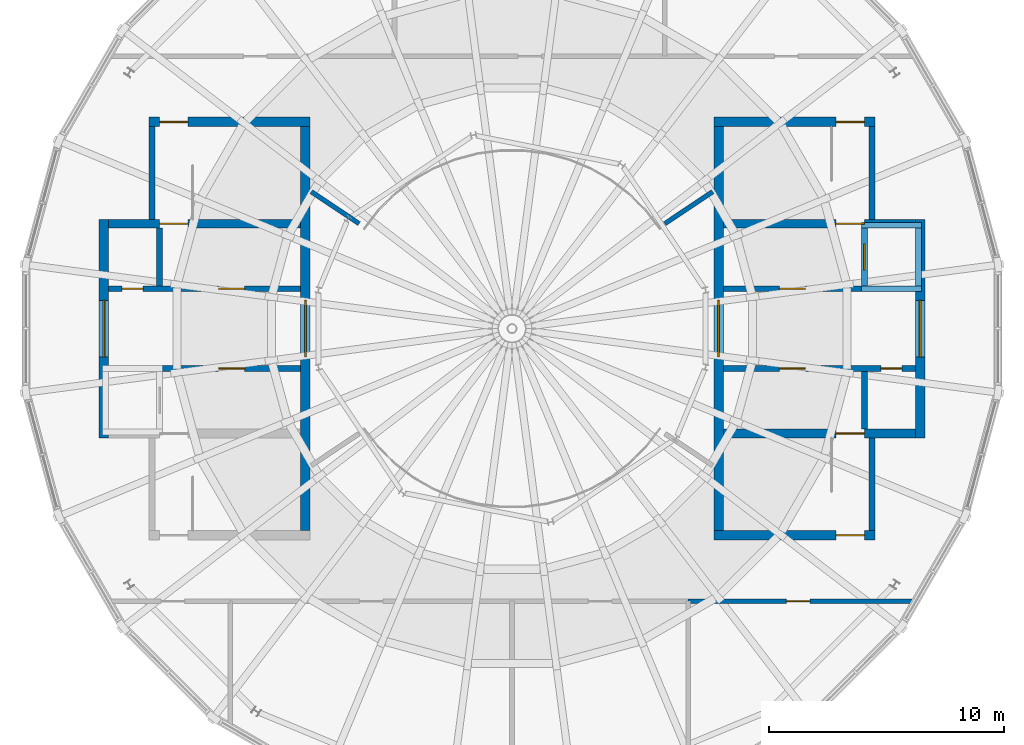
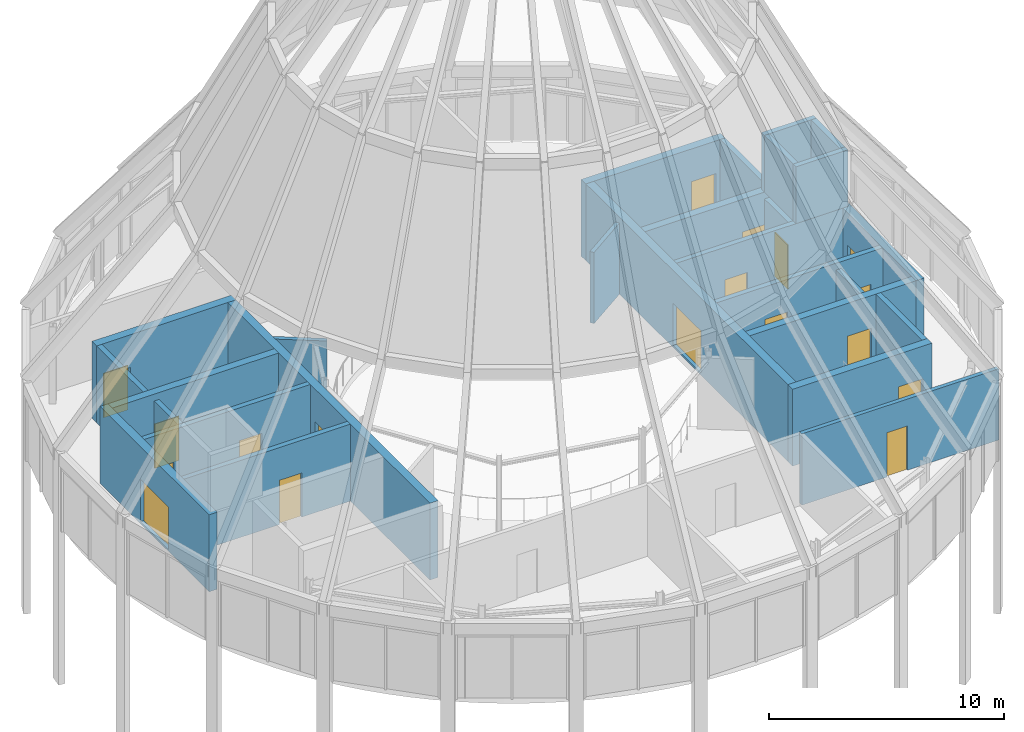
# One storey, part 14 of 16: 27 walls, 14 doors, 4 windows, 18 openings.
"""IFC4 building model written with IfcOpenShell, lengths in metres."""

from ifc_helpers import new_model, si_unit, direction, frame, frame_2d, origin, place, context, subcontext, project, spatial, rectangle, extrude, material, layer, layer_set, type_object, element, fill, save


model = new_model("IFC4")

# Units and contexts
model_context = context("Model", 3, precision=1e-05, world=origin(), true_north=direction((0.0, 1.0)))
body_context = subcontext(model_context, "Body", "Model", "MODEL_VIEW")
ifc_project = project(units=[si_unit("LENGTHUNIT", "METRE"), si_unit("AREAUNIT", "SQUARE_METRE"), si_unit("VOLUMEUNIT", "CUBIC_METRE"), si_unit("PLANEANGLEUNIT", "RADIAN"), si_unit("MASSUNIT", "GRAM", prefix="KILO")], contexts=[model_context])

# Site, building, storey
site_placement = place(None, origin())
site = spatial("IfcSite", under=ifc_project, at=site_placement, CompositionType="ELEMENT")
building_placement = place(site_placement, origin())
building = spatial("IfcBuilding", under=site, at=building_placement, Name="Maasbend Ring Residences", CompositionType="ELEMENT")
storey_placement = place(building_placement, frame((0.0, 0.0, 269.5)))
storey = spatial("IfcBuildingStorey", under=building, at=storey_placement, Name="L77", CompositionType="ELEMENT", Elevation=269.5)

# Wall, opening, door
ifc_material_1 = material(Name="Concrete C50/60", Category="concrete")
ifc_layer_1 = layer(ifc_material_1, 0.25)
ifc_layer_set_1 = layer_set([ifc_layer_1], Name="Concrete C50/60")
wall_type_1 = type_object("IfcWallType", Name="CORE WALL 250 C50/60", PredefinedType="SHEAR", material=ifc_layer_set_1)
wall_1_placement = place(storey_placement, frame((9.0, 1.699951171875, 0.0), z_axis=(0.0, 0.0, 1.0), x_axis=(1.0, 0.0, 0.0)))
wall_1 = element("IfcWall", 1, at=wall_1_placement, inside=storey, type_object=wall_type_1, Name="L77 core E wall SPN", PredefinedType="SHEAR", context=body_context, shape_type="SweptSolid", body=[
    extrude(rectangle(XDim=8.175048828125, YDim=0.25, at=frame_2d((4.08740234375, 0.0))), origin(), (0.0, 0.0, 1.0), 4.0),
])
opening_1_placement = place(wall_1_placement, frame((2.387451171875, 0.0, 0.0)))
opening_1 = element("IfcOpeningElement", 2, at=opening_1_placement, cuts=wall_1, Name="Opening D-E7702", PredefinedType="OPENING", context=body_context, shape_type="SweptSolid", body=[
    extrude(rectangle(XDim=1.10009765625, YDim=2.300048828125, at=frame_2d((0.550048828125, 1.14990234375))), frame((0.0, 0.135009765625, 0.0), z_axis=(0.0, -1.0, 0.0), x_axis=(1.0, 0.0, 0.0)), (0.0, 0.0, 1.0), 0.27001953125),
])
ifc_material_2 = material(Name="Steel, powder coated", Category="steel")
door_type_1 = type_object("IfcDoorType", Name="LOBBY DOOR 1100 X 2300 FD60", OperationType="NOTDEFINED", PredefinedType="DOOR", material=ifc_material_2)
door_1_placement = place(opening_1_placement, origin())
door_1 = element("IfcDoor", 3, at=door_1_placement, inside=storey, type_object=door_type_1, Name="Lobby door L77", OperationType="SINGLE_SWING_RIGHT", OverallHeight=2.300048828125, OverallWidth=1.10009765625, PredefinedType="DOOR", context=body_context, shape_type="SweptSolid", body=[
    extrude(rectangle(XDim=1.10009765625, YDim=2.300048828125, at=frame_2d((0.550048828125, 1.14990234375))), frame((0.0, 0.02490234375, 0.0), z_axis=(0.0, -1.0, 0.0), x_axis=(1.0, 0.0, 0.0)), (0.0, 0.0, 1.0), 0.050048828125),
])
fill(opening_1, door_1)

# Wall
wall_2_placement = place(storey_placement, frame((15.324951171875, 4.64990234375, 0.0), z_axis=(0.0, 0.0, 1.0), x_axis=(0.0, 1.0, 0.0)))
element("IfcWall", 4, at=wall_2_placement, inside=storey, type_object=wall_type_1, Name="L77 core E wall STEN", PredefinedType="SHEAR", context=body_context, shape_type="SweptSolid", body=[
    extrude(rectangle(XDim=3.9501953125, YDim=0.25, at=frame_2d((1.97509765625, 0.0))), origin(), (0.0, 0.0, 1.0), 4.0),
])

# Wall, openings, doors
wall_3_placement = place(storey_placement, frame((17.175048828125, -1.699951171875, 0.0), z_axis=(0.0, 0.0, 1.0), x_axis=(-1.0, 0.0, 0.0)))
wall_3 = element("IfcWall", 5, at=wall_3_placement, inside=storey, type_object=wall_type_1, Name="L77 core E wall SPS", PredefinedType="SHEAR", context=body_context, shape_type="SweptSolid", body=[
    extrude(rectangle(XDim=8.175048828125, YDim=0.25, at=frame_2d((4.08740234375, 0.0))), origin(), (0.0, 0.0, 1.0), 4.0),
])
opening_2_placement = place(wall_3_placement, frame((4.6875, 0.0, 0.0)))
opening_2 = element("IfcOpeningElement", 6, at=opening_2_placement, cuts=wall_3, Name="Opening D-E7703", PredefinedType="OPENING", context=body_context, shape_type="SweptSolid", body=[
    extrude(rectangle(XDim=1.10009765625, YDim=2.300048828125, at=frame_2d((0.550048828125, 1.14990234375))), frame((0.0, 0.135009765625, 0.0), z_axis=(0.0, -1.0, 0.0), x_axis=(1.0, 0.0, 0.0)), (0.0, 0.0, 1.0), 0.27001953125),
])
opening_3_placement = place(wall_3_placement, frame((0.574951171875, 0.0, 0.0)))
opening_3 = element("IfcOpeningElement", 7, at=opening_3_placement, cuts=wall_3, Name="Opening D-E7704", PredefinedType="OPENING", context=body_context, shape_type="SweptSolid", body=[
    extrude(rectangle(XDim=0.89990234375, YDim=2.300048828125, at=frame_2d((0.449951171875, 1.14990234375))), frame((0.0, 0.135009765625, 0.0), z_axis=(0.0, -1.0, 0.0), x_axis=(1.0, 0.0, 0.0)), (0.0, 0.0, 1.0), 0.27001953125),
])
ifc_material_3 = material(Name="Steel, powder coated", Category="steel")
door_type_2 = type_object("IfcDoorType", Name="ROOM DOOR 1100 X 2300 FD30S", OperationType="NOTDEFINED", PredefinedType="DOOR", material=ifc_material_3)
door_2_placement = place(opening_2_placement, origin())
door_2 = element("IfcDoor", 8, at=door_2_placement, inside=storey, type_object=door_type_2, Name="Room door L77", OperationType="SINGLE_SWING_LEFT", OverallHeight=2.300048828125, OverallWidth=1.10009765625, PredefinedType="DOOR", context=body_context, shape_type="SweptSolid", body=[
    extrude(rectangle(XDim=1.10009765625, YDim=2.300048828125, at=frame_2d((0.550048828125, 1.14990234375))), frame((0.0, 0.02490234375, 0.0), z_axis=(0.0, -1.0, 0.0), x_axis=(1.0, 0.0, 0.0)), (0.0, 0.0, 1.0), 0.050048828125),
])
fill(opening_2, door_2)
ifc_material_4 = material(Name="Steel, powder coated", Category="steel")
door_type_3 = type_object("IfcDoorType", Name="ROOM DOOR 900 X 2300 FD30S", OperationType="NOTDEFINED", PredefinedType="DOOR", material=ifc_material_4)
door_3_placement = place(opening_3_placement, origin())
door_3 = element("IfcDoor", 9, at=door_3_placement, inside=storey, type_object=door_type_3, Name="Room door L77", OperationType="SINGLE_SWING_RIGHT", OverallHeight=2.300048828125, OverallWidth=0.89990234375, PredefinedType="DOOR", context=body_context, shape_type="SweptSolid", body=[
    extrude(rectangle(XDim=0.89990234375, YDim=2.300048828125, at=frame_2d((0.449951171875, 1.14990234375))), frame((0.0, 0.02490234375, 0.0), z_axis=(0.0, -1.0, 0.0), x_axis=(1.0, 0.0, 0.0)), (0.0, 0.0, 1.0), 0.050048828125),
])
fill(opening_3, door_3)

# Wall
wall_4_placement = place(storey_placement, frame((15.324951171875, -4.64990234375, 0.0), z_axis=(0.0, 0.0, 1.0), x_axis=(0.0, -1.0, 0.0)))
element("IfcWall", 10, at=wall_4_placement, inside=storey, type_object=wall_type_1, Name="L77 core E wall STES", PredefinedType="SHEAR", context=body_context, shape_type="SweptSolid", body=[
    extrude(rectangle(XDim=3.9501953125, YDim=0.25, at=frame_2d((1.97509765625, 0.0))), origin(), (0.0, 0.0, 1.0), 4.0),
])

# Wall, opening, door
wall_5_placement = place(storey_placement, frame((-9.0, -1.699951171875, 0.0), z_axis=(0.0, 0.0, 1.0), x_axis=(-1.0, 0.0, 0.0)))
wall_5 = element("IfcWall", 11, at=wall_5_placement, inside=storey, type_object=wall_type_1, Name="L77 core W wall SPN", PredefinedType="SHEAR", context=body_context, shape_type="SweptSolid", body=[
    extrude(rectangle(XDim=8.175048828125, YDim=0.25, at=frame_2d((4.08740234375, 0.0))), origin(), (0.0, 0.0, 1.0), 4.0),
])
opening_4_placement = place(wall_5_placement, frame((2.387451171875, 0.0, 0.0)))
opening_4 = element("IfcOpeningElement", 12, at=opening_4_placement, cuts=wall_5, Name="Opening D-W7702", PredefinedType="OPENING", context=body_context, shape_type="SweptSolid", body=[
    extrude(rectangle(XDim=1.10009765625, YDim=2.300048828125, at=frame_2d((0.550048828125, 1.14990234375))), frame((0.0, 0.135009765625, 0.0), z_axis=(0.0, -1.0, 0.0), x_axis=(1.0, 0.0, 0.0)), (0.0, 0.0, 1.0), 0.27001953125),
])
door_4_placement = place(opening_4_placement, origin())
door_4 = element("IfcDoor", 13, at=door_4_placement, inside=storey, type_object=door_type_1, Name="Lobby door L77", OperationType="SINGLE_SWING_RIGHT", OverallHeight=2.300048828125, OverallWidth=1.10009765625, PredefinedType="DOOR", context=body_context, shape_type="SweptSolid", body=[
    extrude(rectangle(XDim=1.10009765625, YDim=2.300048828125, at=frame_2d((0.550048828125, 1.14990234375))), frame((0.0, 0.02490234375, 0.0), z_axis=(0.0, -1.0, 0.0), x_axis=(1.0, 0.0, 0.0)), (0.0, 0.0, 1.0), 0.050048828125),
])
fill(opening_4, door_4)

# Wall, openings, doors
wall_6_placement = place(storey_placement, frame((-17.175048828125, 1.699951171875, 0.0), z_axis=(0.0, 0.0, 1.0), x_axis=(1.0, 0.0, 0.0)))
wall_6 = element("IfcWall", 14, at=wall_6_placement, inside=storey, type_object=wall_type_1, Name="L77 core W wall SPS", PredefinedType="SHEAR", context=body_context, shape_type="SweptSolid", body=[
    extrude(rectangle(XDim=8.175048828125, YDim=0.25, at=frame_2d((4.08740234375, 0.0))), origin(), (0.0, 0.0, 1.0), 4.0),
])
opening_5_placement = place(wall_6_placement, frame((4.6875, 0.0, 0.0)))
opening_5 = element("IfcOpeningElement", 15, at=opening_5_placement, cuts=wall_6, Name="Opening D-W7703", PredefinedType="OPENING", context=body_context, shape_type="SweptSolid", body=[
    extrude(rectangle(XDim=1.10009765625, YDim=2.300048828125, at=frame_2d((0.550048828125, 1.14990234375))), frame((0.0, 0.135009765625, 0.0), z_axis=(0.0, -1.0, 0.0), x_axis=(1.0, 0.0, 0.0)), (0.0, 0.0, 1.0), 0.27001953125),
])
opening_6_placement = place(wall_6_placement, frame((0.574951171875, 0.0, 0.0)))
opening_6 = element("IfcOpeningElement", 16, at=opening_6_placement, cuts=wall_6, Name="Opening D-W7704", PredefinedType="OPENING", context=body_context, shape_type="SweptSolid", body=[
    extrude(rectangle(XDim=0.89990234375, YDim=2.300048828125, at=frame_2d((0.449951171875, 1.14990234375))), frame((0.0, 0.135009765625, 0.0), z_axis=(0.0, -1.0, 0.0), x_axis=(1.0, 0.0, 0.0)), (0.0, 0.0, 1.0), 0.27001953125),
])
door_5_placement = place(opening_5_placement, origin())
door_5 = element("IfcDoor", 17, at=door_5_placement, inside=storey, type_object=door_type_2, Name="Room door L77", OperationType="SINGLE_SWING_LEFT", OverallHeight=2.300048828125, OverallWidth=1.10009765625, PredefinedType="DOOR", context=body_context, shape_type="SweptSolid", body=[
    extrude(rectangle(XDim=1.10009765625, YDim=2.300048828125, at=frame_2d((0.550048828125, 1.14990234375))), frame((0.0, 0.02490234375, 0.0), z_axis=(0.0, -1.0, 0.0), x_axis=(1.0, 0.0, 0.0)), (0.0, 0.0, 1.0), 0.050048828125),
])
fill(opening_5, door_5)
door_6_placement = place(opening_6_placement, origin())
door_6 = element("IfcDoor", 18, at=door_6_placement, inside=storey, type_object=door_type_3, Name="Room door L77", OperationType="SINGLE_SWING_RIGHT", OverallHeight=2.300048828125, OverallWidth=0.89990234375, PredefinedType="DOOR", context=body_context, shape_type="SweptSolid", body=[
    extrude(rectangle(XDim=0.89990234375, YDim=2.300048828125, at=frame_2d((0.449951171875, 1.14990234375))), frame((0.0, 0.02490234375, 0.0), z_axis=(0.0, -1.0, 0.0), x_axis=(1.0, 0.0, 0.0)), (0.0, 0.0, 1.0), 0.050048828125),
])
fill(opening_6, door_6)

# Walls
wall_7_placement = place(storey_placement, frame((-15.324951171875, 4.64990234375, 0.0), z_axis=(0.0, 0.0, 1.0), x_axis=(0.0, 1.0, 0.0)))
element("IfcWall", 19, at=wall_7_placement, inside=storey, type_object=wall_type_1, Name="L77 core W wall STES", PredefinedType="SHEAR", context=body_context, shape_type="SweptSolid", body=[
    extrude(rectangle(XDim=3.9501953125, YDim=0.25, at=frame_2d((1.97509765625, 0.0))), origin(), (0.0, 0.0, 1.0), 4.0),
])
for number, where, z_axis, x_axis, name in (
    (20, (15.0, 1.824951171875, 4.0), (0.0, 0.0, 1.0), (0.0, 1.0, 0.0), "Lift head house wall FF-E"),
    (21, (17.300048828125, 1.824951171875, 4.0), (0.0, 0.0, 1.0), (0.0, 1.0, 0.0), "Lift head house wall FF-E"),
):
    element("IfcWall", number, at=place(storey_placement, frame(where, z_axis=z_axis, x_axis=x_axis)), inside=storey, type_object=wall_type_1, Name=name, PredefinedType="SHEAR", context=body_context, shape_type="SweptSolid", body=[
        extrude(rectangle(XDim=2.449951171875, YDim=0.25, at=frame_2d((1.22509765625, 0.0))), origin(), (0.0, 0.0, 1.0), 2.949951171875),
    ])
for number, where, z_axis, x_axis, name in (
    (22, (14.875, 1.699951171875, 4.0), (0.0, 0.0, 1.0), (1.0, 0.0, 0.0), "Lift head house wall FF-E"),
    (23, (14.875, 4.39990234375, 4.0), (0.0, 0.0, 1.0), (1.0, 0.0, 0.0), "Lift head house wall FF-E"),
):
    element("IfcWall", number, at=place(storey_placement, frame(where, z_axis=z_axis, x_axis=x_axis)), inside=storey, type_object=wall_type_1, Name=name, PredefinedType="SHEAR", context=body_context, shape_type="SweptSolid", body=[
        extrude(rectangle(XDim=2.550048828125, YDim=0.25, at=frame_2d((1.27490234375, 0.0))), origin(), (0.0, 0.0, 1.0), 2.949951171875),
    ])

# Wall, opening, door
ifc_material_5 = material(Name="Concrete C50/60", Category="concrete")
ifc_layer_2 = layer(ifc_material_5, 0.375)
ifc_layer_set_2 = layer_set([ifc_layer_2], Name="Concrete C50/60")
wall_type_2 = type_object("IfcWallType", Name="CORE WALL 375 C50/60", PredefinedType="SHEAR", material=ifc_layer_set_2)
wall_8_placement = place(storey_placement, frame((9.0, 4.46240234375, 0.0), z_axis=(0.0, 0.0, 1.0), x_axis=(1.0, 0.0, 0.0)))
wall_8 = element("IfcWall", 24, at=wall_8_placement, inside=storey, type_object=wall_type_2, Name="L77 core E wall BN", PredefinedType="SHEAR", context=body_context, shape_type="SweptSolid", body=[
    extrude(rectangle(XDim=8.175048828125, YDim=0.375, at=frame_2d((4.08740234375, 0.0))), origin(), (0.0, 0.0, 1.0), 4.0),
])
opening_7_placement = place(wall_8_placement, frame((4.800048828125, 0.0, 0.0)))
opening_7 = element("IfcOpeningElement", 25, at=opening_7_placement, cuts=wall_8, Name="Opening D-E7705", PredefinedType="OPENING", context=body_context, shape_type="SweptSolid", body=[
    extrude(rectangle(XDim=1.199951171875, YDim=2.300048828125, at=frame_2d((0.60009765625, 1.14990234375))), frame((0.0, 0.197509765625, 0.0), z_axis=(0.0, -1.0, 0.0), x_axis=(1.0, 0.0, 0.0)), (0.0, 0.0, 1.0), 0.39501953125),
])
ifc_material_6 = material(Name="Steel, powder coated", Category="steel")
door_type_4 = type_object("IfcDoorType", Name="STAIR DOOR 1200 X 2300 FD60", OperationType="NOTDEFINED", PredefinedType="DOOR", material=ifc_material_6)
door_7_placement = place(opening_7_placement, origin())
door_7 = element("IfcDoor", 26, at=door_7_placement, inside=storey, type_object=door_type_4, Name="Stair door ST-E L77", OperationType="SINGLE_SWING_LEFT", OverallHeight=2.300048828125, OverallWidth=1.199951171875, PredefinedType="DOOR", context=body_context, shape_type="SweptSolid", body=[
    extrude(rectangle(XDim=1.199951171875, YDim=2.300048828125, at=frame_2d((0.60009765625, 1.14990234375))), frame((0.0, 0.02490234375, 0.0), z_axis=(0.0, -1.0, 0.0), x_axis=(1.0, 0.0, 0.0)), (0.0, 0.0, 1.0), 0.050048828125),
])
fill(opening_7, door_7)

wall_9_placement = place(storey_placement, frame((17.175048828125, -4.46240234375, 0.0), z_axis=(0.0, 0.0, 1.0), x_axis=(-1.0, 0.0, 0.0)))
wall_9 = element("IfcWall", 27, at=wall_9_placement, inside=storey, type_object=wall_type_2, Name="L77 core E wall BS", PredefinedType="SHEAR", context=body_context, shape_type="SweptSolid", body=[
    extrude(rectangle(XDim=8.175048828125, YDim=0.375, at=frame_2d((4.08740234375, 0.0))), origin(), (0.0, 0.0, 1.0), 4.0),
])
opening_8_placement = place(wall_9_placement, frame((2.175048828125, 0.0, 0.0)))
opening_8 = element("IfcOpeningElement", 28, at=opening_8_placement, cuts=wall_9, Name="Opening D-E7706", PredefinedType="OPENING", context=body_context, shape_type="SweptSolid", body=[
    extrude(rectangle(XDim=1.199951171875, YDim=2.300048828125, at=frame_2d((0.60009765625, 1.14990234375))), frame((0.0, 0.197509765625, 0.0), z_axis=(0.0, -1.0, 0.0), x_axis=(1.0, 0.0, 0.0)), (0.0, 0.0, 1.0), 0.39501953125),
])
door_8_placement = place(opening_8_placement, origin())
door_8 = element("IfcDoor", 29, at=door_8_placement, inside=storey, type_object=door_type_4, Name="Stair door ST-E L77", OperationType="SINGLE_SWING_RIGHT", OverallHeight=2.300048828125, OverallWidth=1.199951171875, PredefinedType="DOOR", context=body_context, shape_type="SweptSolid", body=[
    extrude(rectangle(XDim=1.199951171875, YDim=2.300048828125, at=frame_2d((0.60009765625, 1.14990234375))), frame((0.0, 0.02490234375, 0.0), z_axis=(0.0, -1.0, 0.0), x_axis=(1.0, 0.0, 0.0)), (0.0, 0.0, 1.0), 0.050048828125),
])
fill(opening_8, door_8)

wall_10_placement = place(storey_placement, frame((-17.175048828125, 4.46240234375, 0.0), z_axis=(0.0, 0.0, 1.0), x_axis=(1.0, 0.0, 0.0)))
wall_10 = element("IfcWall", 30, at=wall_10_placement, inside=storey, type_object=wall_type_2, Name="L77 core W wall BS", PredefinedType="SHEAR", context=body_context, shape_type="SweptSolid", body=[
    extrude(rectangle(XDim=8.175048828125, YDim=0.375, at=frame_2d((4.08740234375, 0.0))), origin(), (0.0, 0.0, 1.0), 4.0),
])
opening_9_placement = place(wall_10_placement, frame((2.175048828125, 0.0, 0.0)))
opening_9 = element("IfcOpeningElement", 31, at=opening_9_placement, cuts=wall_10, Name="Opening D-W7706", PredefinedType="OPENING", context=body_context, shape_type="SweptSolid", body=[
    extrude(rectangle(XDim=1.199951171875, YDim=2.300048828125, at=frame_2d((0.60009765625, 1.14990234375))), frame((0.0, 0.197509765625, 0.0), z_axis=(0.0, -1.0, 0.0), x_axis=(1.0, 0.0, 0.0)), (0.0, 0.0, 1.0), 0.39501953125),
])
door_9_placement = place(opening_9_placement, origin())
door_9 = element("IfcDoor", 32, at=door_9_placement, inside=storey, type_object=door_type_4, Name="Stair door ST-W L77", OperationType="SINGLE_SWING_RIGHT", OverallHeight=2.300048828125, OverallWidth=1.199951171875, PredefinedType="DOOR", context=body_context, shape_type="SweptSolid", body=[
    extrude(rectangle(XDim=1.199951171875, YDim=2.300048828125, at=frame_2d((0.60009765625, 1.14990234375))), frame((0.0, 0.02490234375, 0.0), z_axis=(0.0, -1.0, 0.0), x_axis=(1.0, 0.0, 0.0)), (0.0, 0.0, 1.0), 0.050048828125),
])
fill(opening_9, door_9)

ifc_material_7 = material(Name="Concrete C50/60", Category="concrete")
ifc_layer_3 = layer(ifc_material_7, 0.39990234375)
ifc_layer_set_3 = layer_set([ifc_layer_3], Name="Concrete C50/60")
wall_type_3 = type_object("IfcWallType", Name="CORE WALL 400 C50/60", PredefinedType="SHEAR", material=ifc_layer_set_3)
wall_11_placement = place(storey_placement, frame((15.449951171875, 8.800048828125, 0.0), z_axis=(0.0, 0.0, 1.0), x_axis=(-1.0, 0.0, 0.0)))
wall_11 = element("IfcWall", 33, at=wall_11_placement, inside=storey, type_object=wall_type_3, Name="L77 core E wall PN", PredefinedType="SHEAR", context=body_context, shape_type="SweptSolid", body=[
    extrude(rectangle(XDim=6.849853515625, YDim=0.39990234375, at=frame_2d((3.4248046875, 0.0))), origin(), (0.0, 0.0, 1.0), 4.0),
])
opening_10_placement = place(wall_11_placement, frame((0.449951171875, 0.0, 0.0)))
opening_10 = element("IfcOpeningElement", 34, at=opening_10_placement, cuts=wall_11, Name="Opening D-E7707", PredefinedType="OPENING", context=body_context, shape_type="SweptSolid", body=[
    extrude(rectangle(XDim=1.199951171875, YDim=2.300048828125, at=frame_2d((0.60009765625, 1.14990234375))), frame((0.0, 0.2099609375, 0.0), z_axis=(0.0, -1.0, 0.0), x_axis=(1.0, 0.0, 0.0)), (0.0, 0.0, 1.0), 0.419921875),
])
door_10_placement = place(opening_10_placement, origin())
door_10 = element("IfcDoor", 35, at=door_10_placement, inside=storey, type_object=door_type_4, Name="Stair door ST-E L77", OperationType="SINGLE_SWING_RIGHT", OverallHeight=2.300048828125, OverallWidth=1.199951171875, PredefinedType="DOOR", context=body_context, shape_type="SweptSolid", body=[
    extrude(rectangle(XDim=1.199951171875, YDim=2.300048828125, at=frame_2d((0.60009765625, 1.14990234375))), frame((0.0, 0.02490234375, 0.0), z_axis=(0.0, -1.0, 0.0), x_axis=(1.0, 0.0, 0.0)), (0.0, 0.0, 1.0), 0.050048828125),
])
fill(opening_10, door_10)

wall_12_placement = place(storey_placement, frame((8.60009765625, -8.800048828125, 0.0), z_axis=(0.0, 0.0, 1.0), x_axis=(1.0, 0.0, 0.0)))
wall_12 = element("IfcWall", 36, at=wall_12_placement, inside=storey, type_object=wall_type_3, Name="L77 core E wall PS", PredefinedType="SHEAR", context=body_context, shape_type="SweptSolid", body=[
    extrude(rectangle(XDim=6.849853515625, YDim=0.39990234375, at=frame_2d((3.4248046875, 0.0))), origin(), (0.0, 0.0, 1.0), 4.0),
])
opening_11_placement = place(wall_12_placement, frame((5.199951171875, 0.0, 0.0)))
opening_11 = element("IfcOpeningElement", 37, at=opening_11_placement, cuts=wall_12, Name="Opening D-E7708", PredefinedType="OPENING", context=body_context, shape_type="SweptSolid", body=[
    extrude(rectangle(XDim=1.199951171875, YDim=2.300048828125, at=frame_2d((0.60009765625, 1.14990234375))), frame((0.0, 0.2099609375, 0.0), z_axis=(0.0, -1.0, 0.0), x_axis=(1.0, 0.0, 0.0)), (0.0, 0.0, 1.0), 0.419921875),
])
door_11_placement = place(opening_11_placement, origin())
door_11 = element("IfcDoor", 38, at=door_11_placement, inside=storey, type_object=door_type_4, Name="Stair door ST-E L77", OperationType="SINGLE_SWING_LEFT", OverallHeight=2.300048828125, OverallWidth=1.199951171875, PredefinedType="DOOR", context=body_context, shape_type="SweptSolid", body=[
    extrude(rectangle(XDim=1.199951171875, YDim=2.300048828125, at=frame_2d((0.60009765625, 1.14990234375))), frame((0.0, 0.02490234375, 0.0), z_axis=(0.0, -1.0, 0.0), x_axis=(1.0, 0.0, 0.0)), (0.0, 0.0, 1.0), 0.050048828125),
])
fill(opening_11, door_11)

# Wall, opening, window
wall_13_placement = place(storey_placement, frame((17.375, -4.64990234375, 0.0), z_axis=(0.0, 0.0, 1.0), x_axis=(0.0, 1.0, 0.0)))
wall_13 = element("IfcWall", 39, at=wall_13_placement, inside=storey, type_object=wall_type_3, Name="L77 core E wall POUT", PredefinedType="SHEAR", context=body_context, shape_type="SweptSolid", body=[
    extrude(rectangle(XDim=9.2998046875, YDim=0.39990234375, at=frame_2d((4.64990234375, 0.0))), origin(), (0.0, 0.0, 1.0), 4.0),
])
opening_12_placement = place(wall_13_placement, frame((3.449951171875, 0.0, 0.10009765625)))
opening_12 = element("IfcOpeningElement", 40, at=opening_12_placement, cuts=wall_13, Name="Opening W-E7702", PredefinedType="OPENING", context=body_context, shape_type="SweptSolid", body=[
    extrude(rectangle(XDim=2.39990234375, YDim=2.199951171875, at=frame_2d((1.199951171875, 1.10009765625))), frame((0.0, 0.2099609375, 0.0), z_axis=(0.0, -1.0, 0.0), x_axis=(1.0, 0.0, 0.0)), (0.0, 0.0, 1.0), 0.419921875),
])
ifc_material_8 = material(Name="Aluminium frame and clear glass", Category="aluminium")
window_type = type_object("IfcWindowType", Name="FIXED WINDOW 2400 X 2200", PartitioningType="SINGLE_PANEL", PredefinedType="WINDOW", material=ifc_material_8)
window_1_placement = place(opening_12_placement, origin())
window_1 = element("IfcWindow", 41, at=window_1_placement, inside=storey, type_object=window_type, Name="Lobby window L77", OverallHeight=2.199951171875, OverallWidth=2.39990234375, PartitioningType="SINGLE_PANEL", PredefinedType="WINDOW", context=body_context, shape_type="SweptSolid", body=[
    extrude(rectangle(XDim=2.39990234375, YDim=2.199951171875, at=frame_2d((1.199951171875, 1.10009765625))), frame((0.0, 0.030029296875, 0.0), z_axis=(0.0, -1.0, 0.0), x_axis=(1.0, 0.0, 0.0)), (0.0, 0.0, 1.0), 0.06005859375),
])
fill(opening_12, window_1)

wall_14_placement = place(storey_placement, frame((8.800048828125, -8.60009765625, 0.0), z_axis=(0.0, 0.0, 1.0), x_axis=(0.0, 1.0, 0.0)))
wall_14 = element("IfcWall", 42, at=wall_14_placement, inside=storey, type_object=wall_type_3, Name="L77 core E wall PIN", PredefinedType="SHEAR", context=body_context, shape_type="SweptSolid", body=[
    extrude(rectangle(XDim=17.2001953125, YDim=0.39990234375, at=frame_2d((8.60009765625, 0.0))), origin(), (0.0, 0.0, 1.0), 4.0),
])
opening_13_placement = place(wall_14_placement, frame((7.39990234375, 0.0, 0.10009765625)))
opening_13 = element("IfcOpeningElement", 43, at=opening_13_placement, cuts=wall_14, Name="Opening W-E7701", PredefinedType="OPENING", context=body_context, shape_type="SweptSolid", body=[
    extrude(rectangle(XDim=2.39990234375, YDim=2.199951171875, at=frame_2d((1.199951171875, 1.10009765625))), frame((0.0, 0.2099609375, 0.0), z_axis=(0.0, -1.0, 0.0), x_axis=(1.0, 0.0, 0.0)), (0.0, 0.0, 1.0), 0.419921875),
])
window_2_placement = place(opening_13_placement, origin())
window_2 = element("IfcWindow", 44, at=window_2_placement, inside=storey, type_object=window_type, Name="Lobby window L77", OverallHeight=2.199951171875, OverallWidth=2.39990234375, PartitioningType="SINGLE_PANEL", PredefinedType="WINDOW", context=body_context, shape_type="SweptSolid", body=[
    extrude(rectangle(XDim=2.39990234375, YDim=2.199951171875, at=frame_2d((1.199951171875, 1.10009765625))), frame((0.0, 0.030029296875, 0.0), z_axis=(0.0, -1.0, 0.0), x_axis=(1.0, 0.0, 0.0)), (0.0, 0.0, 1.0), 0.06005859375),
])
fill(opening_13, window_2)

# Wall, opening, door
wall_15_placement = place(storey_placement, frame((-8.60009765625, 8.800048828125, 0.0), z_axis=(0.0, 0.0, 1.0), x_axis=(-1.0, 0.0, 0.0)))
wall_15 = element("IfcWall", 45, at=wall_15_placement, inside=storey, type_object=wall_type_3, Name="L77 core W wall PS", PredefinedType="SHEAR", context=body_context, shape_type="SweptSolid", body=[
    extrude(rectangle(XDim=6.849853515625, YDim=0.39990234375, at=frame_2d((3.4248046875, 0.0))), origin(), (0.0, 0.0, 1.0), 4.0),
])
opening_14_placement = place(wall_15_placement, frame((5.199951171875, 0.0, 0.0)))
opening_14 = element("IfcOpeningElement", 46, at=opening_14_placement, cuts=wall_15, Name="Opening D-W7708", PredefinedType="OPENING", context=body_context, shape_type="SweptSolid", body=[
    extrude(rectangle(XDim=1.199951171875, YDim=2.300048828125, at=frame_2d((0.60009765625, 1.14990234375))), frame((0.0, 0.2099609375, 0.0), z_axis=(0.0, -1.0, 0.0), x_axis=(1.0, 0.0, 0.0)), (0.0, 0.0, 1.0), 0.419921875),
])
door_12_placement = place(opening_14_placement, origin())
door_12 = element("IfcDoor", 47, at=door_12_placement, inside=storey, type_object=door_type_4, Name="Stair door ST-W L77", OperationType="SINGLE_SWING_LEFT", OverallHeight=2.300048828125, OverallWidth=1.199951171875, PredefinedType="DOOR", context=body_context, shape_type="SweptSolid", body=[
    extrude(rectangle(XDim=1.199951171875, YDim=2.300048828125, at=frame_2d((0.60009765625, 1.14990234375))), frame((0.0, 0.02490234375, 0.0), z_axis=(0.0, -1.0, 0.0), x_axis=(1.0, 0.0, 0.0)), (0.0, 0.0, 1.0), 0.050048828125),
])
fill(opening_14, door_12)

# Wall, opening, window
wall_16_placement = place(storey_placement, frame((-17.375, 4.64990234375, 0.0), z_axis=(0.0, 0.0, 1.0), x_axis=(0.0, -1.0, 0.0)))
wall_16 = element("IfcWall", 48, at=wall_16_placement, inside=storey, type_object=wall_type_3, Name="L77 core W wall POUT", PredefinedType="SHEAR", context=body_context, shape_type="SweptSolid", body=[
    extrude(rectangle(XDim=9.2998046875, YDim=0.39990234375, at=frame_2d((4.64990234375, 0.0))), origin(), (0.0, 0.0, 1.0), 4.0),
])
opening_15_placement = place(wall_16_placement, frame((3.449951171875, 0.0, 0.10009765625)))
opening_15 = element("IfcOpeningElement", 49, at=opening_15_placement, cuts=wall_16, Name="Opening W-W7702", PredefinedType="OPENING", context=body_context, shape_type="SweptSolid", body=[
    extrude(rectangle(XDim=2.39990234375, YDim=2.199951171875, at=frame_2d((1.199951171875, 1.10009765625))), frame((0.0, 0.2099609375, 0.0), z_axis=(0.0, -1.0, 0.0), x_axis=(1.0, 0.0, 0.0)), (0.0, 0.0, 1.0), 0.419921875),
])
window_3_placement = place(opening_15_placement, origin())
window_3 = element("IfcWindow", 50, at=window_3_placement, inside=storey, type_object=window_type, Name="Lobby window L77", OverallHeight=2.199951171875, OverallWidth=2.39990234375, PartitioningType="SINGLE_PANEL", PredefinedType="WINDOW", context=body_context, shape_type="SweptSolid", body=[
    extrude(rectangle(XDim=2.39990234375, YDim=2.199951171875, at=frame_2d((1.199951171875, 1.10009765625))), frame((0.0, 0.030029296875, 0.0), z_axis=(0.0, -1.0, 0.0), x_axis=(1.0, 0.0, 0.0)), (0.0, 0.0, 1.0), 0.06005859375),
])
fill(opening_15, window_3)

wall_17_placement = place(storey_placement, frame((-8.800048828125, 8.60009765625, 0.0), z_axis=(0.0, 0.0, 1.0), x_axis=(0.0, -1.0, 0.0)))
wall_17 = element("IfcWall", 51, at=wall_17_placement, inside=storey, type_object=wall_type_3, Name="L77 core W wall PIN", PredefinedType="SHEAR", context=body_context, shape_type="SweptSolid", body=[
    extrude(rectangle(XDim=17.2001953125, YDim=0.39990234375, at=frame_2d((8.60009765625, 0.0))), origin(), (0.0, 0.0, 1.0), 4.0),
])
opening_16_placement = place(wall_17_placement, frame((7.39990234375, 0.0, 0.10009765625)))
opening_16 = element("IfcOpeningElement", 52, at=opening_16_placement, cuts=wall_17, Name="Opening W-W7701", PredefinedType="OPENING", context=body_context, shape_type="SweptSolid", body=[
    extrude(rectangle(XDim=2.39990234375, YDim=2.199951171875, at=frame_2d((1.199951171875, 1.10009765625))), frame((0.0, 0.2099609375, 0.0), z_axis=(0.0, -1.0, 0.0), x_axis=(1.0, 0.0, 0.0)), (0.0, 0.0, 1.0), 0.419921875),
])
window_4_placement = place(opening_16_placement, origin())
window_4 = element("IfcWindow", 53, at=window_4_placement, inside=storey, type_object=window_type, Name="Lobby window L77", OverallHeight=2.199951171875, OverallWidth=2.39990234375, PartitioningType="SINGLE_PANEL", PredefinedType="WINDOW", context=body_context, shape_type="SweptSolid", body=[
    extrude(rectangle(XDim=2.39990234375, YDim=2.199951171875, at=frame_2d((1.199951171875, 1.10009765625))), frame((0.0, 0.030029296875, 0.0), z_axis=(0.0, -1.0, 0.0), x_axis=(1.0, 0.0, 0.0)), (0.0, 0.0, 1.0), 0.06005859375),
])
fill(opening_16, window_4)

# Wall, opening, door
ifc_material_9 = material(Name="Concrete C30/37", Category="concrete")
ifc_layer_4 = layer(ifc_material_9, 0.199951171875)
ifc_layer_set_4 = layer_set([ifc_layer_4], Name="Concrete C30/37")
wall_type_4 = type_object("IfcWallType", Name="CORRIDOR WALL 200 CONCRETE", PredefinedType="PARTITIONING", material=ifc_layer_set_4)
wall_18_placement = place(storey_placement, frame((7.5, -11.60009765625, 0.0), z_axis=(0.0, 0.0, 1.0), x_axis=(1.0, 0.0, 0.0)))
wall_18 = element("IfcWall", 54, at=wall_18_placement, inside=storey, type_object=wall_type_4, Name="U-L77-w003", PredefinedType="PARTITIONING", context=body_context, shape_type="SweptSolid", body=[
    extrude(rectangle(XDim=9.677001953125, YDim=0.199951171875, at=frame_2d((4.83837890625, 0.0))), origin(), (0.0, 0.0, 1.0), 3.699951171875),
])
opening_17_placement = place(wall_18_placement, frame((4.18603515625, 0.0, 0.0)))
opening_17 = element("IfcOpeningElement", 55, at=opening_17_placement, cuts=wall_18, Name="Opening D-7707", PredefinedType="OPENING", context=body_context, shape_type="SweptSolid", body=[
    extrude(rectangle(XDim=1.0, YDim=2.300048828125, at=frame_2d((0.5, 1.14990234375))), frame((0.0, 0.10986328125, 0.0), z_axis=(0.0, -1.0, 0.0), x_axis=(1.0, 0.0, 0.0)), (0.0, 0.0, 1.0), 0.219970703125),
])
ifc_material_10 = material(Name="Timber, painted", Category="wood")
door_type_5 = type_object("IfcDoorType", Name="ROOM DOOR 1000 X 2300", OperationType="NOTDEFINED", PredefinedType="DOOR", material=ifc_material_10)
door_13_placement = place(opening_17_placement, origin())
door_13 = element("IfcDoor", 56, at=door_13_placement, inside=storey, type_object=door_type_5, Name="D-7707", OperationType="SINGLE_SWING_LEFT", OverallHeight=2.300048828125, OverallWidth=1.0, PredefinedType="DOOR", context=body_context, shape_type="SweptSolid", body=[
    extrude(rectangle(XDim=1.0, YDim=2.300048828125, at=frame_2d((0.5, 1.14990234375))), frame((0.0, 0.02490234375, 0.0), z_axis=(0.0, -1.0, 0.0), x_axis=(1.0, 0.0, 0.0)), (0.0, 0.0, 1.0), 0.050048828125),
])
fill(opening_17, door_13)

# Walls
ifc_material_11 = material(Name="Concrete C30/37", Category="concrete")
ifc_layer_5 = layer(ifc_material_11, 0.199951171875)
ifc_layer_set_5 = layer_set([ifc_layer_5], Name="Concrete C30/37")
wall_type_5 = type_object("IfcWallType", Name="PARTY WALL 200 CONCRETE", PredefinedType="PARTITIONING", material=ifc_layer_set_5)
for number, where, z_axis, x_axis, name in (
    (57, (-6.512939453125, 4.471923828125, 0.0), (0.0, 0.0, 1.0), (-0.831450132577, 0.555599385382, 0.0), "U-L77-w009"),
    (58, (6.512939453125, 4.471923828125, 0.0), (0.0, 0.0, 1.0), (0.831450132577, 0.555599385382, 0.0), "U-L77-w010"),
):
    element("IfcWall", number, at=place(storey_placement, frame(where, z_axis=z_axis, x_axis=x_axis)), inside=storey, type_object=wall_type_5, Name=name, PredefinedType="PARTITIONING", context=body_context, shape_type="SweptSolid", body=[
        extrude(rectangle(XDim=2.442626953125, YDim=0.199951171875, at=frame_2d((1.22119140625, 0.0))), origin(), (0.0, 0.0, 1.0), 3.699951171875),
    ])

# Wall, opening, door
ifc_material_12 = material(Name="Concrete C30/37", Category="concrete")
ifc_layer_6 = layer(ifc_material_12, 0.25)
ifc_layer_set_6 = layer_set([ifc_layer_6], Name="Concrete C30/37")
wall_type_6 = type_object("IfcWallType", Name="SHAFT WALL 250 EI 120", PredefinedType="SOLIDWALL", material=ifc_layer_set_6)
wall_19_placement = place(storey_placement, frame((15.0, 1.824951171875, 0.0), z_axis=(0.0, 0.0, 1.0), x_axis=(0.0, 1.0, 0.0)))
wall_19 = element("IfcWall", 59, at=wall_19_placement, inside=storey, type_object=wall_type_6, Name="L77 core E wall D150N", PredefinedType="SOLIDWALL", context=body_context, shape_type="SweptSolid", body=[
    extrude(rectangle(XDim=2.449951171875, YDim=0.25, at=frame_2d((1.22509765625, 0.0))), origin(), (0.0, 0.0, 1.0), 3.64990234375),
])
opening_18_placement = place(wall_19_placement, frame((0.675048828125, 0.0, 0.0)))
opening_18 = element("IfcOpeningElement", 60, at=opening_18_placement, cuts=wall_19, Name="Opening LD-E7701", PredefinedType="OPENING", context=body_context, shape_type="SweptSolid", body=[
    extrude(rectangle(XDim=1.10009765625, YDim=2.300048828125, at=frame_2d((0.550048828125, 1.14990234375))), frame((0.0, 0.135009765625, 0.0), z_axis=(0.0, -1.0, 0.0), x_axis=(1.0, 0.0, 0.0)), (0.0, 0.0, 1.0), 0.27001953125),
])
ifc_material_13 = material(Name="Stainless steel 316", Category="steel")
door_type_6 = type_object("IfcDoorType", Name="LANDING DOOR 1100 X 2300 FD60", OperationType="DOUBLE_DOOR_SLIDING", PredefinedType="DOOR", material=ifc_material_13)
door_14_placement = place(opening_18_placement, origin())
door_14 = element("IfcDoor", 61, at=door_14_placement, inside=storey, type_object=door_type_6, Name="Landing door FF-E L77", OperationType="DOUBLE_DOOR_SLIDING", OverallHeight=2.300048828125, OverallWidth=1.10009765625, PredefinedType="DOOR", context=body_context, shape_type="SweptSolid", body=[
    extrude(rectangle(XDim=1.10009765625, YDim=2.300048828125, at=frame_2d((0.550048828125, 1.14990234375))), frame((0.0, 0.02490234375, 0.0), z_axis=(0.0, -1.0, 0.0), x_axis=(1.0, 0.0, 0.0)), (0.0, 0.0, 1.0), 0.050048828125),
])
fill(opening_18, door_14)

# Walls
for number, where, z_axis, x_axis, name in (
    (62, (15.0, -1.824951171875, 0.0), (0.0, 0.0, 1.0), (0.0, -1.0, 0.0), "L77 core E wall D150S"),
    (63, (-15.0, 1.824951171875, 0.0), (0.0, 0.0, 1.0), (0.0, 1.0, 0.0), "L77 core W wall D150S"),
):
    element("IfcWall", number, at=place(storey_placement, frame(where, z_axis=z_axis, x_axis=x_axis)), inside=storey, type_object=wall_type_6, Name=name, PredefinedType="SOLIDWALL", context=body_context, shape_type="SweptSolid", body=[
        extrude(rectangle(XDim=2.449951171875, YDim=0.25, at=frame_2d((1.22509765625, 0.0))), origin(), (0.0, 0.0, 1.0), 3.64990234375),
    ])

save(model, "model.ifc")
